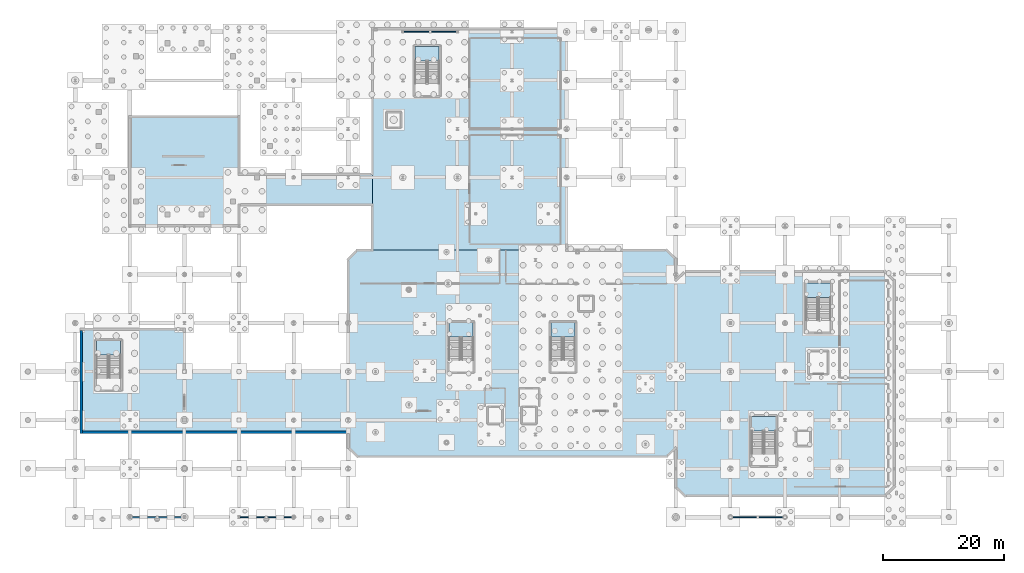
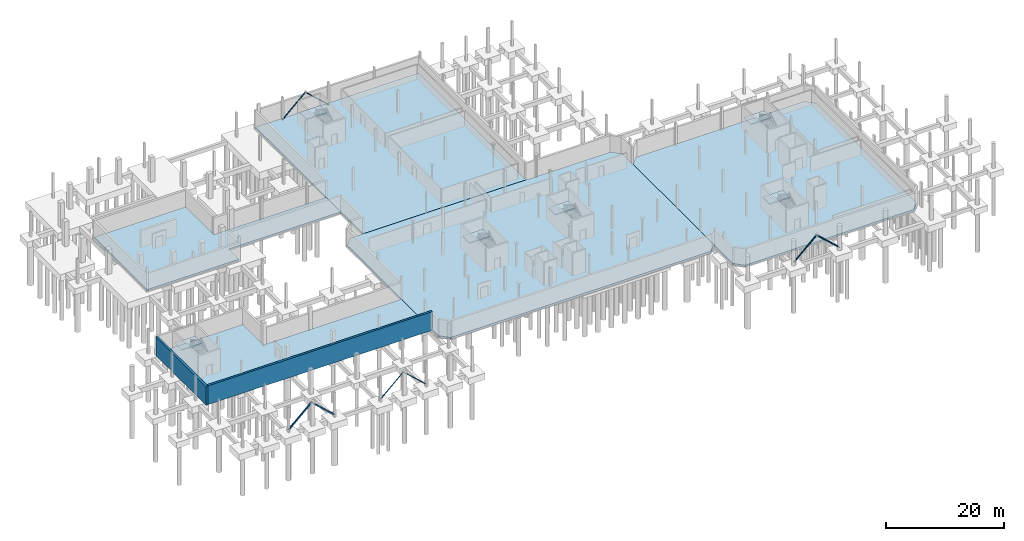
# One storey, part 24 of 37: 11 slabs, 8 members, 2 walls, 6 elements without a shape of their own.
"""IFC4 building model written with IfcOpenShell, lengths in metres."""

from ifc_helpers import new_model, si_unit, direction, frame, frame_2d, origin, origin_2d, place, context, subcontext, project, spatial, polyline, rectangle, hollow_rectangle, hollow_circle, outline, extrude, material, layer, layer_set, material_profile, profile_set, type_object, element, aggregate, save


model = new_model("IFC4")

# Units and contexts
model_context = context("Model", 3, precision=1e-05, world=origin(), true_north=direction((0.0, 1.0)))
body_context = subcontext(model_context, "Body", "Model", "MODEL_VIEW")
ifc_project = project(units=[si_unit("LENGTHUNIT", "METRE"), si_unit("AREAUNIT", "SQUARE_METRE"), si_unit("VOLUMEUNIT", "CUBIC_METRE"), si_unit("PLANEANGLEUNIT", "RADIAN"), si_unit("MASSUNIT", "GRAM", prefix="KILO"), si_unit("THERMODYNAMICTEMPERATUREUNIT", "KELVIN"), si_unit("POWERUNIT", "WATT")], contexts=[model_context])

# Site, building, storey
site_placement = place(None, origin())
site = spatial("IfcSite", under=ifc_project, at=site_placement, CompositionType="ELEMENT")
building_placement = place(site_placement, origin())
building = spatial("IfcBuilding", under=site, at=building_placement, Name="Zelmaris Science Centre", CompositionType="ELEMENT")
storey_placement = place(building_placement, frame((0.0, 0.0, -4.800048828125)))
storey = spatial("IfcBuildingStorey", under=building, at=storey_placement, Name="B1", CompositionType="ELEMENT", Elevation=-4.800048828125)

# Members
ifc_material_1 = material(Name="Steel ASTM A500 Grade C", Category="steel")
ifc_material_profile_1 = material_profile(ifc_material_1, hollow_rectangle(XDim=0.25390625, YDim=0.25390625, WallThickness=0.01171875, InnerFilletRadius=0.01171875, OuterFilletRadius=0.023681640625, at=origin_2d()), Name="HSS254X254X13")
ifc_profile_set_1 = profile_set([ifc_material_profile_1], Name="Steel ASTM A500 Grade C")
member_type_1 = type_object("IfcMemberType", Name="Structural Brace BR-01 HSS254X254X13", PredefinedType="BRACE", material=ifc_profile_set_1)
for number, where, z_axis, x_axis, name in (
    (1, (18.0, 8.0, 0.080078125), (0.737572579905, 0.0, 0.675267864904), (0.0, 1.0, 0.0), "B1 Chevron brace BRF-V3S1 left"),
    (2, (27.0, 8.0, 0.080078125), (-0.737572579905, 0.0, 0.675267864904), (0.0, -1.0, 0.0), "B1 Chevron brace BRF-V3S1 right"),
):
    element("IfcMember", number, at=place(storey_placement, frame(where, z_axis=z_axis, x_axis=x_axis)), inside=storey, type_object=member_type_1, Name=name, PredefinedType="BRACE", context=body_context, shape_type="SweptSolid", body=[
        extrude(hollow_rectangle(XDim=0.25390625, YDim=0.25390625, WallThickness=0.01171875, InnerFilletRadius=0.01171875, OuterFilletRadius=0.023681640625, at=origin_2d()), origin(), (0.0, 0.0, 1.0), 6.10107421875),
    ])
ifc_material_profile_2 = material_profile(ifc_material_1, hollow_circle(Radius=0.136474609375, WallThickness=0.0087890625, at=origin_2d()), Name="CHS273X10")
ifc_profile_set_2 = profile_set([ifc_material_profile_2], Name="Steel ASTM A500 Grade C")
member_type_2 = type_object("IfcMemberType", Name="Structural Brace BR-05 CHS273X10", PredefinedType="BRACE", material=ifc_profile_set_2)
for number, where, z_axis, x_axis, name in (
    (3, (117.0, 8.0, 0.080078125), (0.737572579905, 0.0, 0.675267864904), (0.0, 1.0, 0.0), "B1 Chevron brace BRF-B1E left"),
    (4, (126.0, 8.0, 0.080078125), (-0.737572579905, 0.0, 0.675267864904), (0.0, -1.0, 0.0), "B1 Chevron brace BRF-B1E right"),
):
    element("IfcMember", number, at=place(storey_placement, frame(where, z_axis=z_axis, x_axis=x_axis)), inside=storey, type_object=member_type_2, Name=name, PredefinedType="BRACE", context=body_context, shape_type="SweptSolid", body=[
        extrude(hollow_circle(Radius=0.136474609375, WallThickness=0.0087890625, at=origin_2d()), origin(), (0.0, 0.0, 1.0), 6.10107421875),
    ])
ifc_material_profile_3 = material_profile(ifc_material_1, hollow_circle(Radius=0.109619140625, WallThickness=0.0087890625, at=origin_2d()), Name="CHS219X10")
ifc_profile_set_3 = profile_set([ifc_material_profile_3], Name="Steel ASTM A500 Grade C")
member_type_3 = type_object("IfcMemberType", Name="Structural Brace BR-06 CHS219X10", PredefinedType="BRACE", material=ifc_profile_set_3)
for number, where, z_axis, x_axis, name in (
    (5, (63.0, 88.0, 0.080078125), (0.737572579905, 0.0, 0.675267864904), (0.0, 1.0, 0.0), "B1 Chevron brace BRF-B1N left"),
    (6, (72.0, 88.0, 0.080078125), (-0.737572579905, 0.0, 0.675267864904), (0.0, -1.0, 0.0), "B1 Chevron brace BRF-B1N right"),
):
    element("IfcMember", number, at=place(storey_placement, frame(where, z_axis=z_axis, x_axis=x_axis)), inside=storey, type_object=member_type_3, Name=name, PredefinedType="BRACE", context=body_context, shape_type="SweptSolid", body=[
        extrude(hollow_circle(Radius=0.109619140625, WallThickness=0.0087890625, at=origin_2d()), origin(), (0.0, 0.0, 1.0), 6.10107421875),
    ])
ifc_material_profile_4 = material_profile(ifc_material_1, hollow_circle(Radius=0.084228515625, WallThickness=0.00732421875, at=origin_2d()), Name="CHS168X8")
ifc_profile_set_4 = profile_set([ifc_material_profile_4], Name="Steel ASTM A500 Grade C")
member_type_4 = type_object("IfcMemberType", Name="Structural Brace BR-07 CHS168X8", PredefinedType="BRACE", material=ifc_profile_set_4)
for number, where, z_axis, x_axis, name in (
    (7, (36.0, 8.0, 0.080078125), (0.737572579905, 0.0, 0.675267864904), (0.0, 1.0, 0.0), "B1 Chevron brace BRF-V3S2 left"),
    (8, (45.0, 8.0, 0.080078125), (-0.737572579905, 0.0, 0.675267864904), (0.0, -1.0, 0.0), "B1 Chevron brace BRF-V3S2 right"),
):
    element("IfcMember", number, at=place(storey_placement, frame(where, z_axis=z_axis, x_axis=x_axis)), inside=storey, type_object=member_type_4, Name=name, PredefinedType="BRACE", context=body_context, shape_type="SweptSolid", body=[
        extrude(hollow_circle(Radius=0.084228515625, WallThickness=0.00732421875, at=origin_2d()), origin(), (0.0, 0.0, 1.0), 6.10107421875),
    ])

# Slabs
ifc_material_2 = material(Name="Concrete C35/45", Category="concrete")
ifc_layer_1 = layer(ifc_material_2, 0.35009765625, Name="Concrete C35/45")
ifc_layer_set_1 = layer_set([ifc_layer_1], Name="Concrete C35/45")
slab_type_1 = type_object("IfcSlabType", Name="Slab SL-BS350 350mm", PredefinedType="BASESLAB", material=ifc_layer_set_1)
slab_1_placement = place(storey_placement, frame((0.0, 0.0, -0.349853515625)))
element("IfcSlab", 9, at=slab_1_placement, inside=storey, type_object=slab_type_1, Name="B1 Planetarium cistern base slab", PredefinedType="BASESLAB", context=body_context, shape_type="SweptSolid", body=[
    extrude(outline(polyline([(18.0, 56.0), (18.0, 74.0), (36.0, 74.0), (36.0, 64.5), (58.0, 64.5), (58.0, 59.5), (36.0, 59.5), (36.0, 56.0), (18.0, 56.0)])), origin(), (0.0, 0.0, 1.0), 0.349853515625),
])
slab_2_placement = place(storey_placement, frame((0.0, 0.0, -0.349853515625)))
element("IfcSlab", 10, at=slab_2_placement, inside=storey, type_object=slab_type_1, Name="B1 Preparation workshop base slab", PredefinedType="BASESLAB", context=body_context, shape_type="SweptSolid", body=[
    extrude(outline(polyline([(108.0, 13.0), (108.0, 47.0), (109.5, 48.5), (142.5, 48.5), (144.0, 47.0), (144.0, 13.0), (142.5, 11.5), (109.5, 11.5), (108.0, 13.0)])), origin(), (0.0, 0.0, 1.0), 0.349853515625),
])
slab_3_placement = place(storey_placement, frame((0.0, 0.0, -0.349853515625)))
element("IfcSlab", 11, at=slab_3_placement, inside=storey, type_object=slab_type_1, Name="B1 Collection archive base slab", PredefinedType="BASESLAB", context=body_context, shape_type="SweptSolid", body=[
    extrude(outline(polyline([(58.0, 52.0), (58.0, 88.5), (90.0, 88.5), (90.0, 52.0), (58.0, 52.0)])), origin(), (0.0, 0.0, 1.0), 0.349853515625),
])
ifc_material_3 = material(Name="Concrete C40/50", Category="concrete")
ifc_layer_2 = layer(ifc_material_3, 0.3798828125, Name="Concrete C40/50")
ifc_layer_set_2 = layer_set([ifc_layer_2], Name="Concrete C40/50")
slab_type_2 = type_object("IfcSlabType", Name="Slab SL-BS380 380mm", PredefinedType="BASESLAB", material=ifc_layer_set_2)
slab_4_placement = place(storey_placement, frame((0.0, 0.0, -0.3798828125)))
element("IfcSlab", 12, at=slab_4_placement, inside=storey, type_object=slab_type_2, Name="B1 Chiller plant base slab", PredefinedType="BASESLAB", context=body_context, shape_type="SweptSolid", body=[
    extrude(outline(polyline([(10.0, 39.0), (27.0, 39.0), (27.0, 32.0), (54.0, 32.0), (54.0, 22.0), (10.0, 22.0), (10.0, 39.0)])), origin(), (0.0, 0.0, 1.0), 0.3798828125),
])
ifc_layer_3 = layer(ifc_material_3, 0.39990234375, Name="Concrete C40/50")
ifc_layer_set_3 = layer_set([ifc_layer_3], Name="Concrete C40/50")
slab_type_3 = type_object("IfcSlabType", Name="Slab SL-BS400 400mm", PredefinedType="BASESLAB", material=ifc_layer_set_3)
slab_5_placement = place(storey_placement, frame((0.0, 0.0, -0.39990234375)))
element("IfcSlab", 13, at=slab_5_placement, inside=storey, type_object=slab_type_3, Name="B1 Exhibition storage base slab", PredefinedType="BASESLAB", context=body_context, shape_type="SweptSolid", body=[
    extrude(outline(polyline([(54.0, 19.5), (54.0, 50.5), (55.5, 52.0), (106.5, 52.0), (108.0, 50.5), (108.0, 19.5), (106.5, 18.0), (55.5, 18.0), (54.0, 19.5)])), origin(), (0.0, 0.0, 1.0), 0.39990234375),
])

# Stair, slab
stair_type = type_object("IfcStairType", Name="Exit Stair ST-B W1900", PredefinedType="HALF_TURN_STAIR", material=ifc_material_3)
stair_1_placement = place(storey_placement, origin())
stair_1 = element("IfcStair", 14, at=stair_1_placement, inside=storey, type_object=stair_type, Name="B1 Exit Stair Core ST-1", PredefinedType="HALF_TURN_STAIR")
ifc_layer_4 = layer(ifc_material_2, 0.18994140625, Name="Concrete C35/45")
ifc_layer_set_4 = layer_set([ifc_layer_4], Name="Concrete C35/45")
slab_type_4 = type_object("IfcSlabType", Name="Slab SL-LD190 190mm", PredefinedType="LANDING", material=ifc_layer_set_4)
slab_6_placement = place(storey_placement, frame((0.0, 0.0, 2.2099609375)))
slab_6 = element("IfcSlab", 15, at=slab_6_placement, type_object=slab_type_4, Name="ST-1 landing 1", PredefinedType="LANDING", context=body_context, shape_type="SweptSolid", body=[
    extrude(outline(polyline([(74.60009765625, 37.669921875), (74.60009765625, 40.050048828125), (70.60009765625, 40.050048828125), (70.60009765625, 37.669921875), (74.60009765625, 37.669921875)])), origin(), (0.0, 0.0, 1.0), 0.190185546875),
])
aggregate(stair_1, [slab_6])

stair_2_placement = place(storey_placement, origin())
stair_2 = element("IfcStair", 16, at=stair_2_placement, inside=storey, type_object=stair_type, Name="B1 Exit Stair Core ST-2", PredefinedType="HALF_TURN_STAIR")
slab_7_placement = place(storey_placement, frame((0.0, 0.0, 2.2099609375)))
slab_7 = element("IfcSlab", 17, at=slab_7_placement, type_object=slab_type_4, Name="ST-2 landing 1", PredefinedType="LANDING", context=body_context, shape_type="SweptSolid", body=[
    extrude(outline(polyline([(91.39990234375, 37.669921875), (91.39990234375, 40.050048828125), (87.39990234375, 40.050048828125), (87.39990234375, 37.669921875), (91.39990234375, 37.669921875)])), origin(), (0.0, 0.0, 1.0), 0.190185546875),
])
aggregate(stair_2, [slab_7])

stair_3_placement = place(storey_placement, origin())
stair_3 = element("IfcStair", 18, at=stair_3_placement, inside=storey, type_object=stair_type, Name="B1 Exit Stair Core ST-3", PredefinedType="HALF_TURN_STAIR")
slab_8_placement = place(storey_placement, frame((0.0, 0.0, 2.2099609375)))
slab_8 = element("IfcSlab", 19, at=slab_8_placement, type_object=slab_type_4, Name="ST-3 landing 1", PredefinedType="LANDING", context=body_context, shape_type="SweptSolid", body=[
    extrude(outline(polyline([(69.0, 83.219970703125), (69.0, 85.60009765625), (65.0, 85.60009765625), (65.0, 83.219970703125), (69.0, 83.219970703125)])), origin(), (0.0, 0.0, 1.0), 0.190185546875),
])
aggregate(stair_3, [slab_8])

stair_4_placement = place(storey_placement, origin())
stair_4 = element("IfcStair", 20, at=stair_4_placement, inside=storey, type_object=stair_type, Name="B1 Exit Stair Core ST-4", PredefinedType="HALF_TURN_STAIR")
slab_9_placement = place(storey_placement, frame((0.0, 0.0, 2.2099609375)))
slab_9 = element("IfcSlab", 21, at=slab_9_placement, type_object=slab_type_4, Name="ST-4 landing 1", PredefinedType="LANDING", context=body_context, shape_type="SweptSolid", body=[
    extrude(outline(polyline([(124.5, 22.219970703125), (124.5, 24.60009765625), (120.5, 24.60009765625), (120.5, 22.219970703125), (124.5, 22.219970703125)])), origin(), (0.0, 0.0, 1.0), 0.190185546875),
])
aggregate(stair_4, [slab_9])

stair_5_placement = place(storey_placement, origin())
stair_5 = element("IfcStair", 22, at=stair_5_placement, inside=storey, type_object=stair_type, Name="B1 Exit Stair Core ST-5", PredefinedType="HALF_TURN_STAIR")
slab_10_placement = place(storey_placement, frame((0.0, 0.0, 2.2099609375)))
slab_10 = element("IfcSlab", 23, at=slab_10_placement, type_object=slab_type_4, Name="ST-5 landing 1", PredefinedType="LANDING", context=body_context, shape_type="SweptSolid", body=[
    extrude(outline(polyline([(133.5, 44.219970703125), (133.5, 46.60009765625), (129.5, 46.60009765625), (129.5, 44.219970703125), (133.5, 44.219970703125)])), origin(), (0.0, 0.0, 1.0), 0.190185546875),
])
aggregate(stair_5, [slab_10])

stair_6_placement = place(storey_placement, origin())
stair_6 = element("IfcStair", 24, at=stair_6_placement, inside=storey, type_object=stair_type, Name="B1 Exit Stair Core ST-6", PredefinedType="HALF_TURN_STAIR")
slab_11_placement = place(storey_placement, frame((0.0, 0.0, 2.2099609375)))
slab_11 = element("IfcSlab", 25, at=slab_11_placement, type_object=slab_type_4, Name="ST-6 landing 1", PredefinedType="LANDING", context=body_context, shape_type="SweptSolid", body=[
    extrude(outline(polyline([(16.5, 34.719970703125), (16.5, 37.10009765625), (12.5, 37.10009765625), (12.5, 34.719970703125), (16.5, 34.719970703125)])), origin(), (0.0, 0.0, 1.0), 0.190185546875),
])
aggregate(stair_6, [slab_11])

# Walls
ifc_layer_5 = layer(ifc_material_3, 0.39990234375, Name="Concrete C40/50")
ifc_layer_set_5 = layer_set([ifc_layer_5], Name="Concrete C40/50")
wall_type = type_object("IfcWallType", Name="Retaining Wall RW-01 400mm", PredefinedType="USERDEFINED", material=ifc_layer_set_5)
wall_1_placement = place(storey_placement, frame((10.0, 21.800048828125, -0.349853515625), z_axis=(0.0, 0.0, 1.0), x_axis=(0.0, 1.0, 0.0)))
element("IfcWall", 26, at=wall_1_placement, inside=storey, type_object=wall_type, Name="B1 Perimeter retaining wall 1", ObjectType="RETAININGWALL", PredefinedType="USERDEFINED", context=body_context, shape_type="SweptSolid", body=[
    extrude(rectangle(XDim=16.999755859375, YDim=0.39990234375, at=frame_2d((8.5, 0.0))), origin(), (0.0, 0.0, 1.0), 3.89990234375),
])
wall_2_placement = place(storey_placement, frame((54.15478515625, 21.999755859375, -0.349853515625), z_axis=(0.0, 0.0, 1.0), x_axis=(-0.999999999985, 5.554383e-06, 0.0)))
element("IfcWall", 27, at=wall_2_placement, inside=storey, type_object=wall_type, Name="B1 Perimeter retaining wall 34", ObjectType="RETAININGWALL", PredefinedType="USERDEFINED", context=body_context, shape_type="SweptSolid", body=[
    extrude(rectangle(XDim=43.95458984375, YDim=0.39990234375, at=frame_2d((21.977294921875, 0.0))), origin(), (0.0, 0.0, 1.0), 3.89990234375),
])

save(model, "model.ifc")
